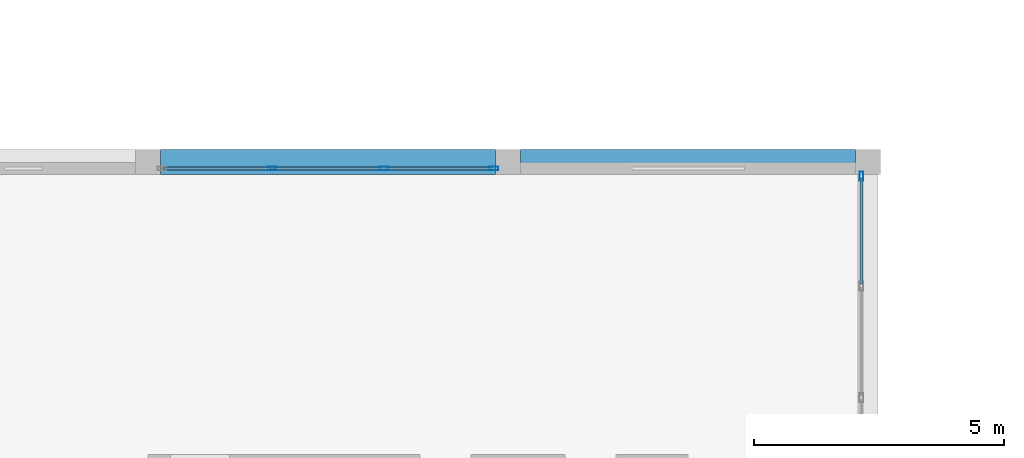
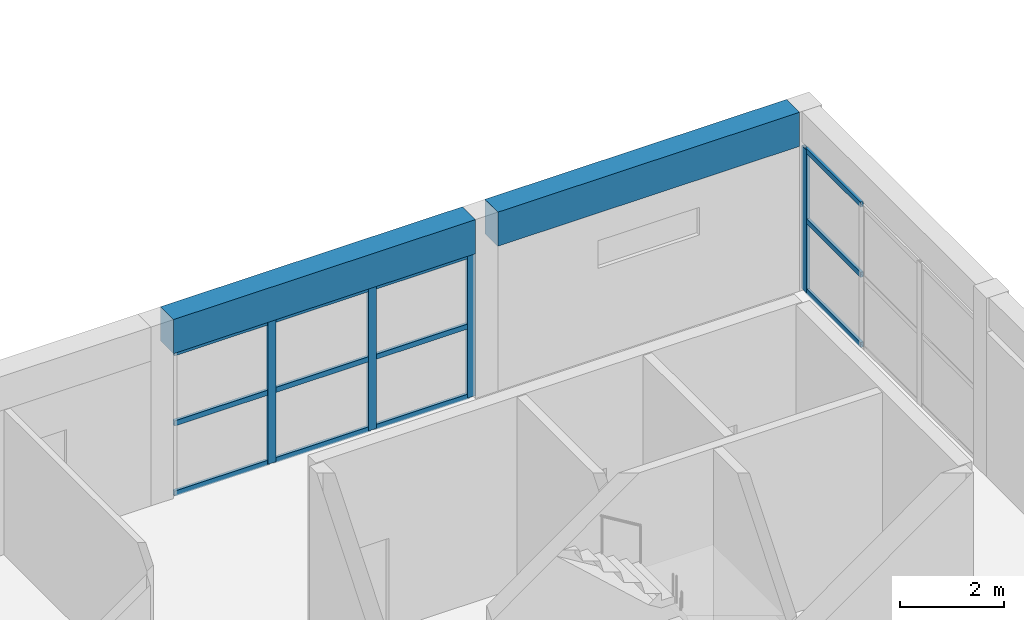
# One storey, part 103 of 153: 16 members, 2 beams, 2 elements without a shape of their own.
"""IFC4 building model written with IfcOpenShell, lengths in metres."""

from ifc_helpers import new_model, si_unit, direction, frame, origin, origin_2d, place, context, subcontext, project, spatial, rectangle, hollow_rectangle, extrude, material, material_profile, profile_set, type_object, element, aggregate, save


model = new_model("IFC4")

# Units and contexts
model_context = context("Model", 3, precision=1e-05, world=origin(), true_north=direction((0.0, 1.0)))
body_context = subcontext(model_context, "Body", "Model", "MODEL_VIEW")
ifc_project = project(units=[si_unit("LENGTHUNIT", "METRE"), si_unit("AREAUNIT", "SQUARE_METRE"), si_unit("VOLUMEUNIT", "CUBIC_METRE"), si_unit("PLANEANGLEUNIT", "RADIAN"), si_unit("MASSUNIT", "GRAM", prefix="KILO")], contexts=[model_context])

# Site, building, storey
site_placement = place(None, origin())
site = spatial("IfcSite", under=ifc_project, at=site_placement, CompositionType="ELEMENT")
building_placement = place(site_placement, origin())
building = spatial("IfcBuilding", under=site, at=building_placement, Name="Bramvelor Terrace Health Centre", CompositionType="ELEMENT")
storey_placement = place(building_placement, frame((0.0, 0.0, 4.800048828125)))
storey = spatial("IfcBuildingStorey", under=building, at=storey_placement, Name="L02", CompositionType="ELEMENT", Elevation=4.800048828125)

# Beams
ifc_material_1 = material(Name="Concrete C40/50", Category="concrete")
ifc_material_profile_1 = material_profile(ifc_material_1, rectangle(XDim=0.5, YDim=0.800048828125, at=origin_2d()), Name="RC 500x800")
ifc_profile_set_1 = profile_set([ifc_material_profile_1], Name="Concrete C40/50")
beam_type = type_object("IfcBeamType", Name="BM-RC-G800", PredefinedType="BEAM", material=ifc_profile_set_1)
beam_1_placement = place(storey_placement, frame((79.449951171875, 100.800048828125, 3.800048828125), z_axis=(1.0, 0.0, 0.0), x_axis=(0.0, 1.0, 0.0)))
element("IfcBeam", 1, at=beam_1_placement, inside=storey, type_object=beam_type, Name="L02 Floor Girder", PredefinedType="BEAM", context=body_context, shape_type="SweptSolid", body=[
    extrude(rectangle(XDim=0.5, YDim=0.800048828125, at=origin_2d()), origin(), (0.0, 0.0, 1.0), 6.699951171875),
])
beam_2_placement = place(storey_placement, frame((86.64990234375, 100.800048828125, 3.800048828125), z_axis=(1.0, 0.0, 0.0), x_axis=(0.0, 1.0, 0.0)))
element("IfcBeam", 2, at=beam_2_placement, inside=storey, type_object=beam_type, Name="L02 Floor Girder", PredefinedType="BEAM", context=body_context, shape_type="SweptSolid", body=[
    extrude(rectangle(XDim=0.5, YDim=0.800048828125, at=origin_2d()), origin(), (0.0, 0.0, 1.0), 6.7001953125),
])

# Curtain wall, members
ifc_material_2 = material(Name="Anodized aluminium and double low-E glass", Category="aluminium")
curtain_wall_type = type_object("IfcCurtainWallType", Name="CW-SYS-16", PredefinedType="NOTDEFINED", material=ifc_material_2)
curtain_wall_1_placement = place(storey_placement, origin())
curtain_wall_1 = element("IfcCurtainWall", 3, at=curtain_wall_1_placement, inside=storey, type_object=curtain_wall_type, Name="L02 Unitized Curtain Wall 87", PredefinedType="NOTDEFINED")
ifc_material_3 = material(Name="Anodized aluminium 6063-T6", Category="aluminium")
ifc_material_profile_2 = material_profile(ifc_material_3, hollow_rectangle(XDim=0.074951171875, YDim=0.179931640625, WallThickness=0.00341796875, at=origin_2d()), Name="ALU-MUL 75x180x3.5")
ifc_profile_set_2 = profile_set([ifc_material_profile_2], Name="Anodized aluminium 6063-T6")
member_type_1 = type_object("IfcMemberType", Name="CW-MUL-65x180", PredefinedType="MULLION", material=ifc_profile_set_2)
member_1_placement = place(storey_placement, frame((81.681640625, 100.669921875, 0.0), z_axis=(0.0, 0.0, 1.0), x_axis=(0.0, 1.0, 0.0)))
member_1 = element("IfcMember", 4, at=member_1_placement, type_object=member_type_1, Name="CW-16 mullion 2", PredefinedType="MULLION", context=body_context, shape_type="SweptSolid", body=[
    extrude(hollow_rectangle(XDim=0.074951171875, YDim=0.179931640625, WallThickness=0.00341796875, at=origin_2d()), origin(), (0.0, 0.0, 1.0), 3.35986328125),
])
member_2_placement = place(storey_placement, frame((83.918212890625, 100.669921875, 0.0), z_axis=(0.0, 0.0, 1.0), x_axis=(0.0, 1.0, 0.0)))
member_2 = element("IfcMember", 5, at=member_2_placement, type_object=member_type_1, Name="CW-16 mullion 3", PredefinedType="MULLION", context=body_context, shape_type="SweptSolid", body=[
    extrude(hollow_rectangle(XDim=0.074951171875, YDim=0.179931640625, WallThickness=0.00341796875, at=origin_2d()), origin(), (0.0, 0.0, 1.0), 3.35986328125),
])
member_3_placement = place(storey_placement, frame((86.117431640625, 100.669921875, 0.0), z_axis=(0.0, 0.0, 1.0), x_axis=(0.0, 1.0, 0.0)))
member_3 = element("IfcMember", 6, at=member_3_placement, type_object=member_type_1, Name="CW-16 mullion 4", PredefinedType="MULLION", context=body_context, shape_type="SweptSolid", body=[
    extrude(hollow_rectangle(XDim=0.074951171875, YDim=0.179931640625, WallThickness=0.00341796875, at=origin_2d()), origin(), (0.0, 0.0, 1.0), 3.35986328125),
])

# Curtain wall, member
curtain_wall_2_placement = place(storey_placement, origin())
curtain_wall_2 = element("IfcCurtainWall", 7, at=curtain_wall_2_placement, inside=storey, type_object=curtain_wall_type, Name="L02 Unitized Curtain Wall 88", PredefinedType="NOTDEFINED")
member_4_placement = place(storey_placement, frame((93.469970703125, 100.517578125, 0.0), z_axis=(0.0, 0.0, 1.0), x_axis=(1.0, 0.0, 0.0)))
member_4 = element("IfcMember", 8, at=member_4_placement, type_object=member_type_1, Name="CW-16 mullion 1", PredefinedType="MULLION", context=body_context, shape_type="SweptSolid", body=[
    extrude(hollow_rectangle(XDim=0.074951171875, YDim=0.179931640625, WallThickness=0.00341796875, at=origin_2d()), origin(), (0.0, 0.0, 1.0), 3.35986328125),
])

# Member
ifc_material_4 = material(Name="Anodized aluminium 6063-T6", Category="aluminium")
ifc_material_profile_3 = material_profile(ifc_material_4, hollow_rectangle(XDim=0.06494140625, YDim=0.1201171875, WallThickness=0.0029296875, at=origin_2d()), Name="ALU-TRN 65x120x3.0")
ifc_profile_set_3 = profile_set([ifc_material_profile_3], Name="Anodized aluminium 6063-T6")
member_type_2 = type_object("IfcMemberType", Name="CW-TRN-65x150", PredefinedType="USERDEFINED", material=ifc_profile_set_3)
member_5_placement = place(storey_placement, frame((79.52001953125, 100.669921875, 0.032470703125), z_axis=(1.0, 0.0, 0.0), x_axis=(0.0, 1.0, 0.0)))
member_5 = element("IfcMember", 9, at=member_5_placement, type_object=member_type_2, Name="CW-16 transom 1.1", ObjectType="TRANSOM", PredefinedType="USERDEFINED", context=body_context, shape_type="SweptSolid", body=[
    extrude(hollow_rectangle(XDim=0.06494140625, YDim=0.1201171875, WallThickness=0.0029296875, at=origin_2d()), origin(), (0.0, 0.0, 1.0), 2.124267578125),
])

member_6_placement = place(storey_placement, frame((79.52001953125, 100.669921875, 1.679931640625), z_axis=(1.0, 0.0, 0.0), x_axis=(0.0, 1.0, 0.0)))
member_6 = element("IfcMember", 10, at=member_6_placement, type_object=member_type_2, Name="CW-16 transom 1.2", ObjectType="TRANSOM", PredefinedType="USERDEFINED", context=body_context, shape_type="SweptSolid", body=[
    extrude(hollow_rectangle(XDim=0.06494140625, YDim=0.1201171875, WallThickness=0.0029296875, at=origin_2d()), origin(), (0.0, 0.0, 1.0), 2.124267578125),
])

member_7_placement = place(storey_placement, frame((79.52001953125, 100.669921875, 3.327392578125), z_axis=(1.0, 0.0, 0.0), x_axis=(0.0, 1.0, 0.0)))
member_7 = element("IfcMember", 11, at=member_7_placement, type_object=member_type_2, Name="CW-16 transom 1.3", ObjectType="TRANSOM", PredefinedType="USERDEFINED", context=body_context, shape_type="SweptSolid", body=[
    extrude(hollow_rectangle(XDim=0.06494140625, YDim=0.1201171875, WallThickness=0.0029296875, at=origin_2d()), origin(), (0.0, 0.0, 1.0), 2.124267578125),
])

member_8_placement = place(storey_placement, frame((81.71923828125, 100.669921875, 0.032470703125), z_axis=(1.0, 0.0, 0.0), x_axis=(0.0, 1.0, 0.0)))
member_8 = element("IfcMember", 12, at=member_8_placement, type_object=member_type_2, Name="CW-16 transom 2.1", ObjectType="TRANSOM", PredefinedType="USERDEFINED", context=body_context, shape_type="SweptSolid", body=[
    extrude(hollow_rectangle(XDim=0.06494140625, YDim=0.1201171875, WallThickness=0.0029296875, at=origin_2d()), origin(), (0.0, 0.0, 1.0), 2.16162109375),
])

member_9_placement = place(storey_placement, frame((81.71923828125, 100.669921875, 1.679931640625), z_axis=(1.0, 0.0, 0.0), x_axis=(0.0, 1.0, 0.0)))
member_9 = element("IfcMember", 13, at=member_9_placement, type_object=member_type_2, Name="CW-16 transom 2.2", ObjectType="TRANSOM", PredefinedType="USERDEFINED", context=body_context, shape_type="SweptSolid", body=[
    extrude(hollow_rectangle(XDim=0.06494140625, YDim=0.1201171875, WallThickness=0.0029296875, at=origin_2d()), origin(), (0.0, 0.0, 1.0), 2.16162109375),
])

member_10_placement = place(storey_placement, frame((81.71923828125, 100.669921875, 3.327392578125), z_axis=(1.0, 0.0, 0.0), x_axis=(0.0, 1.0, 0.0)))
member_10 = element("IfcMember", 14, at=member_10_placement, type_object=member_type_2, Name="CW-16 transom 2.3", ObjectType="TRANSOM", PredefinedType="USERDEFINED", context=body_context, shape_type="SweptSolid", body=[
    extrude(hollow_rectangle(XDim=0.06494140625, YDim=0.1201171875, WallThickness=0.0029296875, at=origin_2d()), origin(), (0.0, 0.0, 1.0), 2.16162109375),
])

member_11_placement = place(storey_placement, frame((83.955810546875, 100.669921875, 0.032470703125), z_axis=(1.0, 0.0, 0.0), x_axis=(0.0, 1.0, 0.0)))
member_11 = element("IfcMember", 15, at=member_11_placement, type_object=member_type_2, Name="CW-16 transom 3.1", ObjectType="TRANSOM", PredefinedType="USERDEFINED", context=body_context, shape_type="SweptSolid", body=[
    extrude(hollow_rectangle(XDim=0.06494140625, YDim=0.1201171875, WallThickness=0.0029296875, at=origin_2d()), origin(), (0.0, 0.0, 1.0), 2.124267578125),
])

member_12_placement = place(storey_placement, frame((83.955810546875, 100.669921875, 1.679931640625), z_axis=(1.0, 0.0, 0.0), x_axis=(0.0, 1.0, 0.0)))
member_12 = element("IfcMember", 16, at=member_12_placement, type_object=member_type_2, Name="CW-16 transom 3.2", ObjectType="TRANSOM", PredefinedType="USERDEFINED", context=body_context, shape_type="SweptSolid", body=[
    extrude(hollow_rectangle(XDim=0.06494140625, YDim=0.1201171875, WallThickness=0.0029296875, at=origin_2d()), origin(), (0.0, 0.0, 1.0), 2.124267578125),
])

member_13_placement = place(storey_placement, frame((83.955810546875, 100.669921875, 3.327392578125), z_axis=(1.0, 0.0, 0.0), x_axis=(0.0, 1.0, 0.0)))
member_13 = element("IfcMember", 17, at=member_13_placement, type_object=member_type_2, Name="CW-16 transom 3.3", ObjectType="TRANSOM", PredefinedType="USERDEFINED", context=body_context, shape_type="SweptSolid", body=[
    extrude(hollow_rectangle(XDim=0.06494140625, YDim=0.1201171875, WallThickness=0.0029296875, at=origin_2d()), origin(), (0.0, 0.0, 1.0), 2.124267578125),
])

aggregate(curtain_wall_1, [member_1, member_2, member_3, member_5, member_6, member_7, member_8, member_9, member_10, member_11, member_12, member_13])

member_14_placement = place(storey_placement, frame((93.469970703125, 100.47998046875, 0.032470703125), z_axis=(0.0, -1.0, 0.0), x_axis=(1.0, 0.0, 0.0)))
member_14 = element("IfcMember", 18, at=member_14_placement, type_object=member_type_2, Name="CW-16 transom 1.1", ObjectType="TRANSOM", PredefinedType="USERDEFINED", context=body_context, shape_type="SweptSolid", body=[
    extrude(hollow_rectangle(XDim=0.06494140625, YDim=0.1201171875, WallThickness=0.0029296875, at=origin_2d()), origin(), (0.0, 0.0, 1.0), 2.124267578125),
])

member_15_placement = place(storey_placement, frame((93.469970703125, 100.47998046875, 1.679931640625), z_axis=(0.0, -1.0, 0.0), x_axis=(1.0, 0.0, 0.0)))
member_15 = element("IfcMember", 19, at=member_15_placement, type_object=member_type_2, Name="CW-16 transom 1.2", ObjectType="TRANSOM", PredefinedType="USERDEFINED", context=body_context, shape_type="SweptSolid", body=[
    extrude(hollow_rectangle(XDim=0.06494140625, YDim=0.1201171875, WallThickness=0.0029296875, at=origin_2d()), origin(), (0.0, 0.0, 1.0), 2.124267578125),
])

member_16_placement = place(storey_placement, frame((93.469970703125, 100.47998046875, 3.327392578125), z_axis=(0.0, -1.0, 0.0), x_axis=(1.0, 0.0, 0.0)))
member_16 = element("IfcMember", 20, at=member_16_placement, type_object=member_type_2, Name="CW-16 transom 1.3", ObjectType="TRANSOM", PredefinedType="USERDEFINED", context=body_context, shape_type="SweptSolid", body=[
    extrude(hollow_rectangle(XDim=0.06494140625, YDim=0.1201171875, WallThickness=0.0029296875, at=origin_2d()), origin(), (0.0, 0.0, 1.0), 2.124267578125),
])

aggregate(curtain_wall_2, [member_4, member_14, member_15, member_16])

save(model, "model.ifc")
